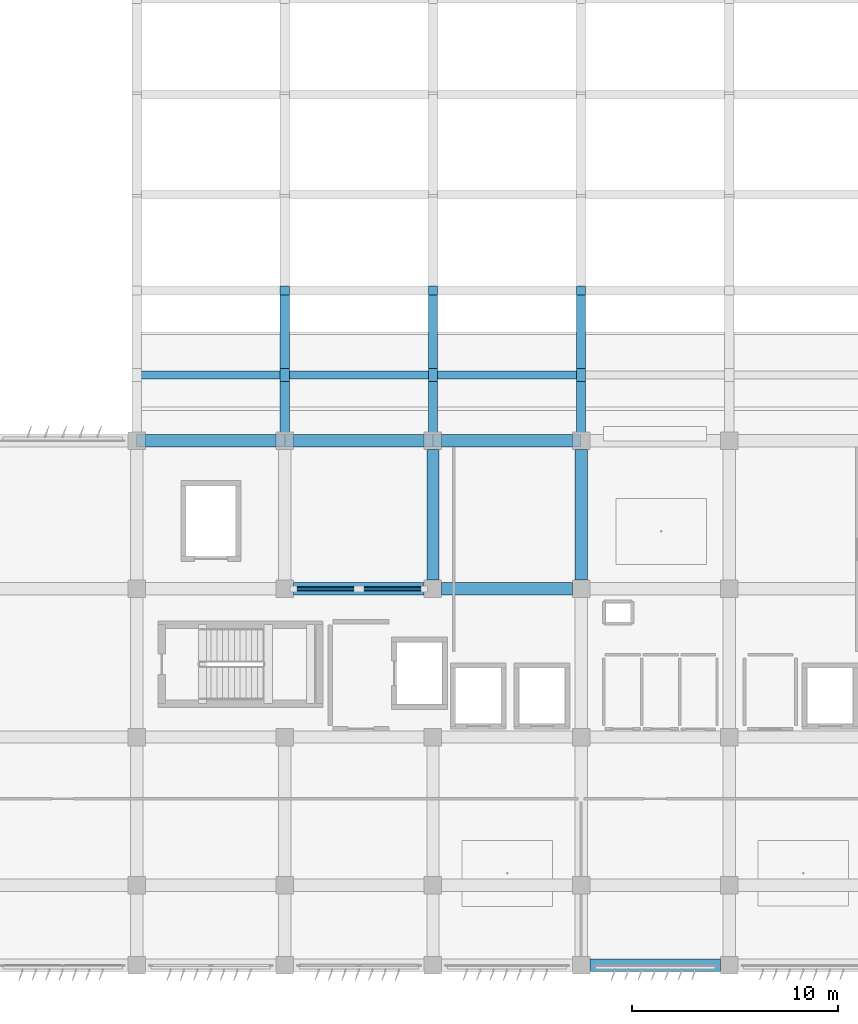
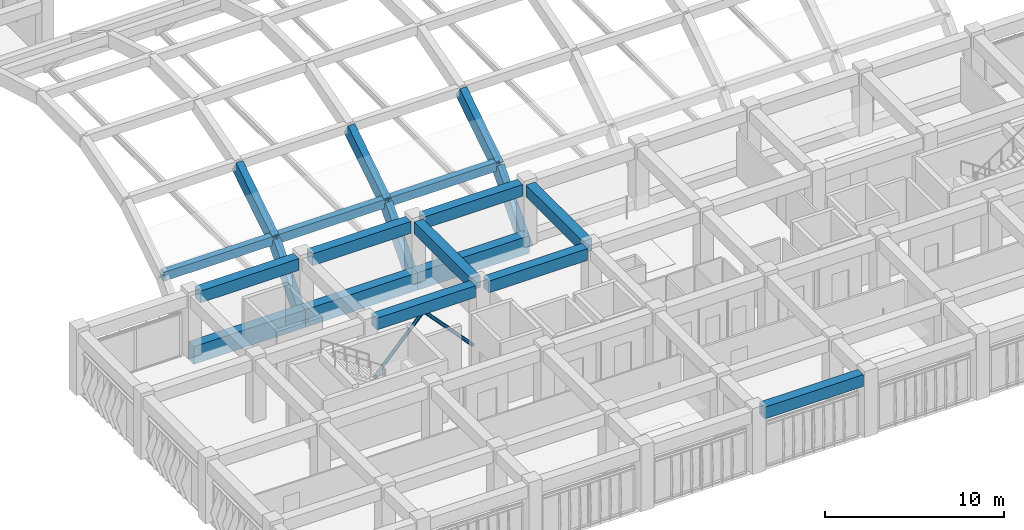
# One storey, part 12 of 48: 20 beams, 2 members.
"""IFC4 building model written with IfcOpenShell, lengths in metres."""

from ifc_helpers import new_model, si_unit, direction, frame, origin, origin_2d, place, context, subcontext, project, spatial, rectangle, hollow_circle, extrude, material, material_profile, profile_set, type_object, element, save


model = new_model("IFC4")

# Units and contexts
model_context = context("Model", 3, precision=1e-05, world=origin(), true_north=direction((0.0, 1.0)))
body_context = subcontext(model_context, "Body", "Model", "MODEL_VIEW")
ifc_project = project(units=[si_unit("LENGTHUNIT", "METRE"), si_unit("AREAUNIT", "SQUARE_METRE"), si_unit("VOLUMEUNIT", "CUBIC_METRE"), si_unit("PLANEANGLEUNIT", "RADIAN"), si_unit("MASSUNIT", "GRAM", prefix="KILO")], contexts=[model_context])

# Site, building, storey
site_placement = place(None, origin())
site = spatial("IfcSite", under=ifc_project, at=site_placement, CompositionType="ELEMENT")
building_placement = place(site_placement, origin())
building = spatial("IfcBuilding", under=site, at=building_placement, Name="Kazehaya Institute of Natural Sciences", CompositionType="ELEMENT")
storey_placement = place(building_placement, frame((0.0, 0.0, 19.800048828125)))
storey = spatial("IfcBuildingStorey", under=building, at=storey_placement, Name="L04", CompositionType="ELEMENT", Elevation=19.800048828125)

# Beams
ifc_material_1 = material(Name="Concrete Fc36", Category="concrete")
ifc_material_profile_1 = material_profile(ifc_material_1, rectangle(XDim=0.449951171875, YDim=0.85009765625, at=origin_2d()), Name="RC-450x850")
ifc_profile_set_1 = profile_set([ifc_material_profile_1], Name="Concrete Fc36")
beam_type_1 = type_object("IfcBeamType", Name="BM-AR-450x850", PredefinedType="BEAM", material=ifc_profile_set_1)
beam_1_placement = place(storey_placement, frame((69.0, 35.60009765625, -0.429931640625), z_axis=(0.0, 0.659222645841, 0.751947806175), x_axis=(-1.0, 0.0, 0.0)))
element("IfcBeam", 1, at=beam_1_placement, inside=storey, type_object=beam_type_1, Name="SH-VOL2 transverse arch rib SH-VOL2-RIB-69-01", PredefinedType="BEAM", context=body_context, shape_type="SweptSolid", body=[
    extrude(rectangle(XDim=0.449951171875, YDim=0.85009765625, at=origin_2d()), origin(), (0.0, 0.0, 1.0), 4.8603515625),
])
beam_2_placement = place(storey_placement, frame((69.0, 38.80419921875, 3.224853515625), z_axis=(0.0, 0.843332482097, 0.537392151636), x_axis=(-1.0, 0.0, 0.0)))
element("IfcBeam", 2, at=beam_2_placement, inside=storey, type_object=beam_type_1, Name="SH-VOL2 transverse arch rib SH-VOL2-RIB-69-03", PredefinedType="BEAM", context=body_context, shape_type="SweptSolid", body=[
    extrude(rectangle(XDim=0.449951171875, YDim=0.85009765625, at=origin_2d()), origin(), (0.0, 0.0, 1.0), 4.860595703125),
])
beam_3_placement = place(storey_placement, frame((76.199951171875, 35.60009765625, -0.429931640625), z_axis=(0.0, 0.659222645841, 0.751947806175), x_axis=(-1.0, 0.0, 0.0)))
element("IfcBeam", 3, at=beam_3_placement, inside=storey, type_object=beam_type_1, Name="SH-VOL2 transverse arch rib SH-VOL2-RIB-76-01", PredefinedType="BEAM", context=body_context, shape_type="SweptSolid", body=[
    extrude(rectangle(XDim=0.449951171875, YDim=0.85009765625, at=origin_2d()), origin(), (0.0, 0.0, 1.0), 4.8603515625),
])
beam_4_placement = place(storey_placement, frame((76.199951171875, 38.80419921875, 3.224853515625), z_axis=(0.0, 0.843332482097, 0.537392151636), x_axis=(-1.0, 0.0, 0.0)))
element("IfcBeam", 4, at=beam_4_placement, inside=storey, type_object=beam_type_1, Name="SH-VOL2 transverse arch rib SH-VOL2-RIB-76-03", PredefinedType="BEAM", context=body_context, shape_type="SweptSolid", body=[
    extrude(rectangle(XDim=0.449951171875, YDim=0.85009765625, at=origin_2d()), origin(), (0.0, 0.0, 1.0), 4.860595703125),
])
beam_5_placement = place(storey_placement, frame((83.39990234375, 35.60009765625, -0.429931640625), z_axis=(0.0, 0.659222645841, 0.751947806175), x_axis=(-1.0, 0.0, 0.0)))
element("IfcBeam", 5, at=beam_5_placement, inside=storey, type_object=beam_type_1, Name="SH-VOL2 transverse arch rib SH-VOL2-RIB-83-01", PredefinedType="BEAM", context=body_context, shape_type="SweptSolid", body=[
    extrude(rectangle(XDim=0.449951171875, YDim=0.85009765625, at=origin_2d()), origin(), (0.0, 0.0, 1.0), 4.8603515625),
])
beam_6_placement = place(storey_placement, frame((83.39990234375, 38.80419921875, 3.224853515625), z_axis=(0.0, 0.843332482097, 0.537392151636), x_axis=(-1.0, 0.0, 0.0)))
element("IfcBeam", 6, at=beam_6_placement, inside=storey, type_object=beam_type_1, Name="SH-VOL2 transverse arch rib SH-VOL2-RIB-83-03", PredefinedType="BEAM", context=body_context, shape_type="SweptSolid", body=[
    extrude(rectangle(XDim=0.449951171875, YDim=0.85009765625, at=origin_2d()), origin(), (0.0, 0.0, 1.0), 4.860595703125),
])
ifc_material_profile_2 = material_profile(ifc_material_1, rectangle(XDim=0.39990234375, YDim=0.60009765625, at=origin_2d()), Name="RC-400x600")
ifc_profile_set_2 = profile_set([ifc_material_profile_2], Name="Concrete Fc36")
beam_type_2 = type_object("IfcBeamType", Name="BM-B-400x600", PredefinedType="BEAM", material=ifc_profile_set_2)
for number, where, z_axis, x_axis, name in (
    (7, (61.800048828125, 38.80419921875, 3.344970703125), (1.0, 0.0, 0.0), (0.0, 1.0, 0.0), "SH-VOL2 longitudinal shell rib 2"),
    (8, (69.0, 38.80419921875, 3.344970703125), (1.0, 0.0, 0.0), (0.0, 1.0, 0.0), "SH-VOL2 longitudinal shell rib 2"),
    (9, (76.199951171875, 38.80419921875, 3.344970703125), (1.0, 0.0, 0.0), (0.0, 1.0, 0.0), "SH-VOL2 longitudinal shell rib 2"),
):
    element("IfcBeam", number, at=place(storey_placement, frame(where, z_axis=z_axis, x_axis=x_axis)), inside=storey, type_object=beam_type_2, Name=name, PredefinedType="BEAM", context=body_context, shape_type="SweptSolid", body=[
        extrude(rectangle(XDim=0.39990234375, YDim=0.60009765625, at=origin_2d()), origin(), (0.0, 0.0, 1.0), 7.199951171875),
    ])
ifc_material_profile_3 = material_profile(ifc_material_1, rectangle(XDim=0.60009765625, YDim=1.199951171875, at=origin_2d()), Name="RC-600x1200")
ifc_profile_set_3 = profile_set([ifc_material_profile_3], Name="Concrete Fc36")
beam_type_3 = type_object("IfcBeamType", Name="BM-EB-600x1200", PredefinedType="BEAM", material=ifc_profile_set_3)
for number, where, z_axis, x_axis, name in (
    (10, (61.800048828125, 35.60009765625, 0.0), (1.0, 0.0, 0.0), (0.0, 1.0, 0.0), "SH-VOL2 centroidal shell edge beam SH-VOL2-EB-S-2316"),
    (11, (69.0, 35.60009765625, 0.0), (1.0, 0.0, 0.0), (0.0, 1.0, 0.0), "SH-VOL2 centroidal shell edge beam SH-VOL2-EB-S-2324"),
    (12, (76.199951171875, 35.60009765625, 0.0), (1.0, 0.0, 0.0), (0.0, 1.0, 0.0), "SH-VOL2 centroidal shell edge beam SH-VOL2-EB-S-2332"),
):
    element("IfcBeam", number, at=place(storey_placement, frame(where, z_axis=z_axis, x_axis=x_axis)), inside=storey, type_object=beam_type_3, Name=name, PredefinedType="BEAM", context=body_context, shape_type="SweptSolid", body=[
        extrude(rectangle(XDim=0.60009765625, YDim=1.199951171875, at=origin_2d()), origin(), (0.0, 0.0, 1.0), 7.199951171875),
    ])
ifc_material_profile_4 = material_profile(ifc_material_1, rectangle(XDim=0.60009765625, YDim=0.800048828125, at=origin_2d()), Name="RC-600x800")
ifc_profile_set_4 = profile_set([ifc_material_profile_4], Name="Concrete Fc36")
beam_type_4 = type_object("IfcBeamType", Name="BM-G-600x800", PredefinedType="BEAM", material=ifc_profile_set_4)
beam_7_placement = place(storey_placement, frame((83.824951171875, 10.10009765625, 3.829833984375), z_axis=(1.0, 0.0, 0.0), x_axis=(0.0, 1.0, 0.0)))
element("IfcBeam", 13, at=beam_7_placement, inside=storey, type_object=beam_type_4, Name="L04 primary X girder BMX-L04-834-101", PredefinedType="BEAM", context=body_context, shape_type="SweptSolid", body=[
    extrude(rectangle(XDim=0.60009765625, YDim=0.800048828125, at=origin_2d()), origin(), (0.0, 0.0, 1.0), 6.35009765625),
])
beam_8_placement = place(storey_placement, frame((69.425048828125, 28.39990234375, 3.829833984375), z_axis=(1.0, 0.0, 0.0), x_axis=(0.0, 1.0, 0.0)))
element("IfcBeam", 14, at=beam_8_placement, inside=storey, type_object=beam_type_4, Name="L04 primary X girder BMX-L04-690-284", PredefinedType="BEAM", context=body_context, shape_type="SweptSolid", body=[
    extrude(rectangle(XDim=0.60009765625, YDim=0.800048828125, at=origin_2d()), origin(), (0.0, 0.0, 1.0), 6.349853515625),
])
beam_9_placement = place(storey_placement, frame((76.625, 28.39990234375, 3.829833984375), z_axis=(1.0, 0.0, 0.0), x_axis=(0.0, 1.0, 0.0)))
element("IfcBeam", 15, at=beam_9_placement, inside=storey, type_object=beam_type_4, Name="L04 primary X girder BMX-L04-762-284", PredefinedType="BEAM", context=body_context, shape_type="SweptSolid", body=[
    extrude(rectangle(XDim=0.60009765625, YDim=0.800048828125, at=origin_2d()), origin(), (0.0, 0.0, 1.0), 6.35009765625),
])
for number, where, z_axis, x_axis, name in (
    (16, (62.22509765625, 35.60009765625, 3.829833984375), (1.0, 0.0, 0.0), (0.0, 1.0, 0.0), "L04 primary X girder BMX-L04-618-356"),
    (17, (69.425048828125, 35.60009765625, 3.829833984375), (1.0, 0.0, 0.0), (0.0, 1.0, 0.0), "L04 primary X girder BMX-L04-690-356"),
):
    element("IfcBeam", number, at=place(storey_placement, frame(where, z_axis=z_axis, x_axis=x_axis)), inside=storey, type_object=beam_type_4, Name=name, PredefinedType="BEAM", context=body_context, shape_type="SweptSolid", body=[
        extrude(rectangle(XDim=0.60009765625, YDim=0.800048828125, at=origin_2d()), origin(), (0.0, 0.0, 1.0), 6.349853515625),
    ])
for number, where, z_axis, x_axis, name in (
    (18, (76.625, 35.60009765625, 3.829833984375), (1.0, 0.0, 0.0), (0.0, 1.0, 0.0), "L04 primary X girder BMX-L04-762-356"),
    (19, (76.199951171875, 28.824951171875, 3.829833984375), (0.0, 1.0, 0.0), (-1.0, 0.0, 0.0), "L04 primary Y girder BMY-L04-762-284"),
    (20, (83.39990234375, 28.824951171875, 3.829833984375), (0.0, 1.0, 0.0), (-1.0, 0.0, 0.0), "L04 primary Y girder BMY-L04-834-284"),
):
    element("IfcBeam", number, at=place(storey_placement, frame(where, z_axis=z_axis, x_axis=x_axis)), inside=storey, type_object=beam_type_4, Name=name, PredefinedType="BEAM", context=body_context, shape_type="SweptSolid", body=[
        extrude(rectangle(XDim=0.60009765625, YDim=0.800048828125, at=origin_2d()), origin(), (0.0, 0.0, 1.0), 6.35009765625),
    ])

# Members
ifc_material_2 = material(Name="Structural steel SN490B", Category="steel")
ifc_material_profile_5 = material_profile(ifc_material_2, hollow_circle(Radius=0.108154296875, WallThickness=0.00830078125, at=origin_2d()), Name="CHS-216.3x8.2")
ifc_profile_set_5 = profile_set([ifc_material_profile_5], Name="Structural steel SN490B")
member_type = type_object("IfcMemberType", Name="MEM-BR-CHS216", PredefinedType="BRACE", material=ifc_profile_set_5)
member_1_placement = place(storey_placement, frame((69.419921875, 28.39990234375, 0.010009765625), z_axis=(0.680972274153, 0.0, 0.732309198245), x_axis=(0.0, 1.0, 0.0)))
element("IfcMember", 21, at=member_1_placement, inside=storey, type_object=member_type, Name="L04 core spine seismic brace 9", PredefinedType="BRACE", context=body_context, shape_type="SweptSolid", body=[
    extrude(hollow_circle(Radius=0.108154296875, WallThickness=0.00830078125, at=origin_2d()), origin(), (0.0, 0.0, 1.0), 4.670166015625),
])
member_2_placement = place(storey_placement, frame((75.780029296875, 28.39990234375, 0.010009765625), z_axis=(-0.680944237219, 0.0, 0.732335268711), x_axis=(0.0, -1.0, 0.0)))
element("IfcMember", 22, at=member_2_placement, inside=storey, type_object=member_type, Name="L04 core spine seismic brace 10", PredefinedType="BRACE", context=body_context, shape_type="SweptSolid", body=[
    extrude(hollow_circle(Radius=0.108154296875, WallThickness=0.00830078125, at=origin_2d()), origin(), (0.0, 0.0, 1.0), 4.669921875),
])

save(model, "model.ifc")
